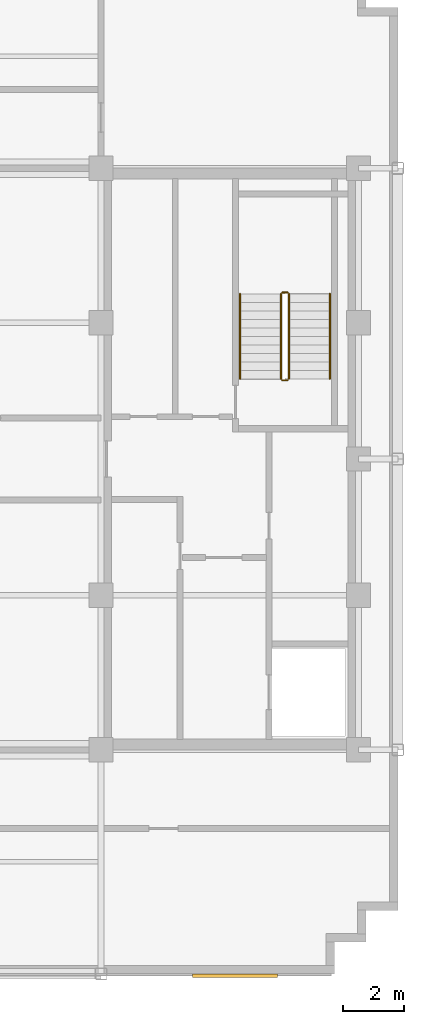
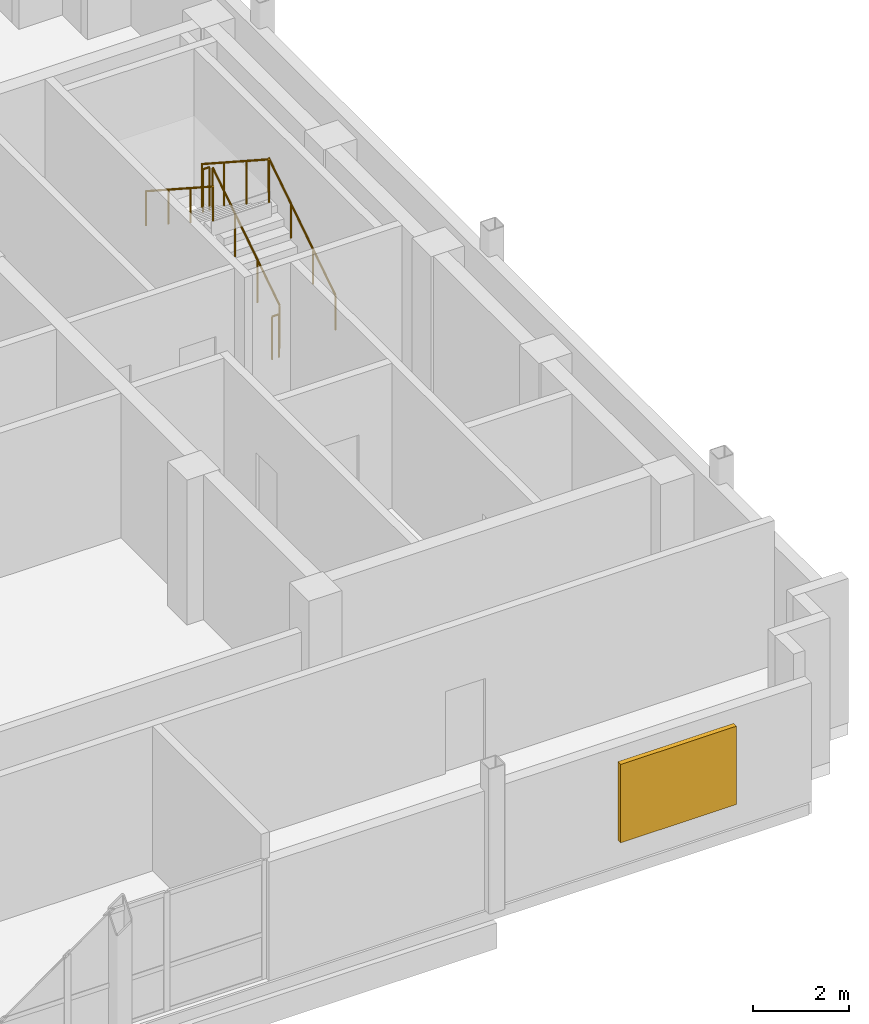
# One storey, part 9 of 10: 6 railings, 1 shading device.
"""IFC4 building model written with IfcOpenShell, lengths in metres."""

from ifc_helpers import new_model, si_unit, direction, frame, origin, origin_2d, place, context, subcontext, project, spatial, rectangle, circle, extrude, source, transform, mapped, material, type_object, type_shapes, element, save


model = new_model("IFC4")

# Units and contexts
model_context = context("Model", 3, precision=1e-05, world=origin(), true_north=direction((0.0, 1.0)))
body_context = subcontext(model_context, "Body", "Model", "MODEL_VIEW")
ifc_project = project(units=[si_unit("LENGTHUNIT", "METRE"), si_unit("AREAUNIT", "SQUARE_METRE"), si_unit("VOLUMEUNIT", "CUBIC_METRE"), si_unit("PLANEANGLEUNIT", "RADIAN"), si_unit("MASSUNIT", "GRAM", prefix="KILO")], contexts=[model_context])

# Site, building, storey
site_placement = place(None, origin())
site = spatial("IfcSite", under=ifc_project, at=site_placement, CompositionType="ELEMENT")
building_placement = place(site_placement, origin())
building = spatial("IfcBuilding", under=site, at=building_placement, Name="Nuvemarco Arch Tower", CompositionType="ELEMENT")
storey_placement = place(building_placement, frame((0.0, 0.0, 299.14990234375)))
storey = spatial("IfcBuildingStorey", under=building, at=storey_placement, Name="L79", CompositionType="ELEMENT", Elevation=299.14990234375)

# Railings
ifc_material_1 = material(Name="Brushed stainless steel handrail", Category="steel")
railing_type_1 = type_object("IfcRailingType", Name="RL-HANDRAIL-900", PredefinedType="HANDRAIL", material=ifc_material_1)
railing_1_placement = place(storey_placement, frame((16.550048828125, 2.64990234375, 0.181884765625)))
element("IfcRailing", 1, at=railing_1_placement, inside=storey, type_object=railing_type_1, Name="L79 ST-2 stair handrail 1", PredefinedType="HANDRAIL", context=body_context, shape_type="SweptSolid", body=[
    extrude(circle(Radius=0.02392578125, at=origin_2d()), frame((0.0, 0.0, 0.8759765625), z_axis=(0.0, 0.838705829183, 0.544584733623), x_axis=(-1.0, 0.0, 0.0)), (0.0, 0.0, 1.0), 3.338623046875),
    extrude(circle(Radius=0.02099609375, at=origin_2d()), origin(), (0.0, 0.0, 1.0), 0.851806640625),
    extrude(circle(Radius=0.02099609375, at=origin_2d()), frame((0.0, 0.933349609375, 0.60595703125)), (0.0, 0.0, 1.0), 0.851806640625),
    extrude(circle(Radius=0.02099609375, at=origin_2d()), frame((0.0, 1.86669921875, 1.212158203125)), (0.0, 0.0, 1.0), 0.851806640625),
    extrude(circle(Radius=0.02099609375, at=origin_2d()), frame((0.0, 2.800048828125, 1.818115234375)), (0.0, 0.0, 1.0), 0.851806640625),
])
railing_2_placement = place(storey_placement, frame((13.590087890625, 5.449951171875, 2.181884765625)))
element("IfcRailing", 2, at=railing_2_placement, inside=storey, type_object=railing_type_1, Name="L79 ST-2 stair handrail 2", PredefinedType="HANDRAIL", context=body_context, shape_type="SweptSolid", body=[
    extrude(circle(Radius=0.02392578125, at=origin_2d()), frame((0.0, 0.0, 0.8759765625), z_axis=(0.0, -0.838705829183, 0.544584733623), x_axis=(1.0, 0.0, 0.0)), (0.0, 0.0, 1.0), 3.338623046875),
    extrude(circle(Radius=0.02099609375, at=origin_2d()), origin(), (0.0, 0.0, 1.0), 0.851806640625),
    extrude(circle(Radius=0.02099609375, at=origin_2d()), frame((0.0, -0.933349609375, 0.60595703125)), (0.0, 0.0, 1.0), 0.851806640625),
    extrude(circle(Radius=0.02099609375, at=origin_2d()), frame((0.0, -1.86669921875, 1.212158203125)), (0.0, 0.0, 1.0), 0.851806640625),
    extrude(circle(Radius=0.02099609375, at=origin_2d()), frame((0.0, -2.800048828125, 1.818115234375)), (0.0, 0.0, 1.0), 0.851806640625),
])
ifc_material_2 = material(Name="Painted balustrade steel S355", Category="steel")
railing_type_2 = type_object("IfcRailingType", Name="RL-STAIR-GUARD", PredefinedType="GUARDRAIL", material=ifc_material_2)
railing_3_placement = place(storey_placement, frame((15.199951171875, 2.64990234375, 0.181884765625)))
element("IfcRailing", 3, at=railing_3_placement, inside=storey, type_object=railing_type_2, Name="L79 ST-2 stair guard 1", PredefinedType="GUARDRAIL", context=body_context, shape_type="SweptSolid", body=[
    extrude(circle(Radius=0.02392578125, at=origin_2d()), frame((0.0, 0.0, 1.09619140625), z_axis=(0.0, 0.838705829183, 0.544584733623), x_axis=(-1.0, 0.0, 0.0)), (0.0, 0.0, 1.0), 3.338623046875),
    extrude(circle(Radius=0.02099609375, at=origin_2d()), origin(), (0.0, 0.0, 1.0), 1.072021484375),
    extrude(circle(Radius=0.02099609375, at=origin_2d()), frame((0.0, 0.933349609375, 0.60595703125)), (0.0, 0.0, 1.0), 1.072021484375),
    extrude(circle(Radius=0.02099609375, at=origin_2d()), frame((0.0, 1.86669921875, 1.212158203125)), (0.0, 0.0, 1.0), 1.072021484375),
    extrude(circle(Radius=0.02099609375, at=origin_2d()), frame((0.0, 2.800048828125, 1.818115234375)), (0.0, 0.0, 1.0), 1.072021484375),
])
railing_4_placement = place(storey_placement, frame((15.14990234375, 5.5, 2.0)))
element("IfcRailing", 4, at=railing_4_placement, inside=storey, type_object=railing_type_2, Name="L79 ST-2 stair guard 2", PredefinedType="GUARDRAIL", context=body_context, shape_type="SweptSolid", body=[
    extrude(circle(Radius=0.02392578125, at=origin_2d()), frame((0.0, 0.0, 1.09619140625), z_axis=(-1.0, 0.0, 0.0), x_axis=(0.0, -1.0, 0.0)), (0.0, 0.0, 1.0), 0.159912109375),
    extrude(circle(Radius=0.02099609375, at=origin_2d()), origin(), (0.0, 0.0, 1.0), 1.072021484375),
    extrude(circle(Radius=0.02099609375, at=origin_2d()), frame((-0.159912109375, 0.0, 0.0)), (0.0, 0.0, 1.0), 1.072021484375),
])
railing_5_placement = place(storey_placement, frame((14.93994140625, 5.449951171875, 2.181884765625)))
element("IfcRailing", 5, at=railing_5_placement, inside=storey, type_object=railing_type_2, Name="L79 ST-2 stair guard 3", PredefinedType="GUARDRAIL", context=body_context, shape_type="SweptSolid", body=[
    extrude(circle(Radius=0.02392578125, at=origin_2d()), frame((0.0, 0.0, 1.09619140625), z_axis=(0.0, -0.838705829183, 0.544584733623), x_axis=(1.0, 0.0, 0.0)), (0.0, 0.0, 1.0), 3.338623046875),
    extrude(circle(Radius=0.02099609375, at=origin_2d()), origin(), (0.0, 0.0, 1.0), 1.072021484375),
    extrude(circle(Radius=0.02099609375, at=origin_2d()), frame((0.0, -0.933349609375, 0.60595703125)), (0.0, 0.0, 1.0), 1.072021484375),
    extrude(circle(Radius=0.02099609375, at=origin_2d()), frame((0.0, -1.86669921875, 1.212158203125)), (0.0, 0.0, 1.0), 1.072021484375),
    extrude(circle(Radius=0.02099609375, at=origin_2d()), frame((0.0, -2.800048828125, 1.818115234375)), (0.0, 0.0, 1.0), 1.072021484375),
])
railing_6_placement = place(storey_placement, frame((15.14990234375, 2.60009765625, 0.0)))
element("IfcRailing", 6, at=railing_6_placement, inside=storey, type_object=railing_type_2, Name="L79 ST-2 stair guard 4", PredefinedType="GUARDRAIL", context=body_context, shape_type="SweptSolid", body=[
    extrude(circle(Radius=0.02392578125, at=origin_2d()), frame((0.0, 0.0, 1.09619140625), z_axis=(-1.0, 0.0, 0.0), x_axis=(0.0, -1.0, 0.0)), (0.0, 0.0, 1.0), 0.159912109375),
    extrude(circle(Radius=0.02099609375, at=origin_2d()), origin(), (0.0, 0.0, 1.0), 1.072021484375),
    extrude(circle(Radius=0.02099609375, at=origin_2d()), frame((-0.159912109375, 0.0, 0.0)), (0.0, 0.0, 1.0), 1.072021484375),
])

# Shading device
ifc_material_3 = material(Name="Anodised aluminium 6063-T6", Category="aluminium")
shading_device_type = type_object("IfcShadingDeviceType", Name="SHD-LOUVRE-PLANT", PredefinedType="JALOUSIE", material=ifc_material_3)
shared_shape = source(origin(), body_context, "Body", "SweptSolid", [
    extrude(rectangle(XDim=2.800048828125, YDim=0.1201171875, at=origin_2d()), origin(), (0.0, 0.0, 1.0), 2.0),
])
type_shapes(shading_device_type, [shared_shape])
shading_device_placement = place(storey_placement, frame((13.425048828125, -17.054931640625, 0.650146484375), z_axis=(0.0, 0.0, 1.0), x_axis=(1.0, 0.0, 0.0)))
element("IfcShadingDevice", 7, at=shading_device_placement, inside=storey, type_object=shading_device_type, Name="L79 acoustic plant louvre panel 2", PredefinedType="JALOUSIE", context=body_context, shape_type="MappedRepresentation", body=[
    mapped(shared_shape, transform((0.0, 0.0, 0.0), scale=1.0)),
])

save(model, "model.ifc")
